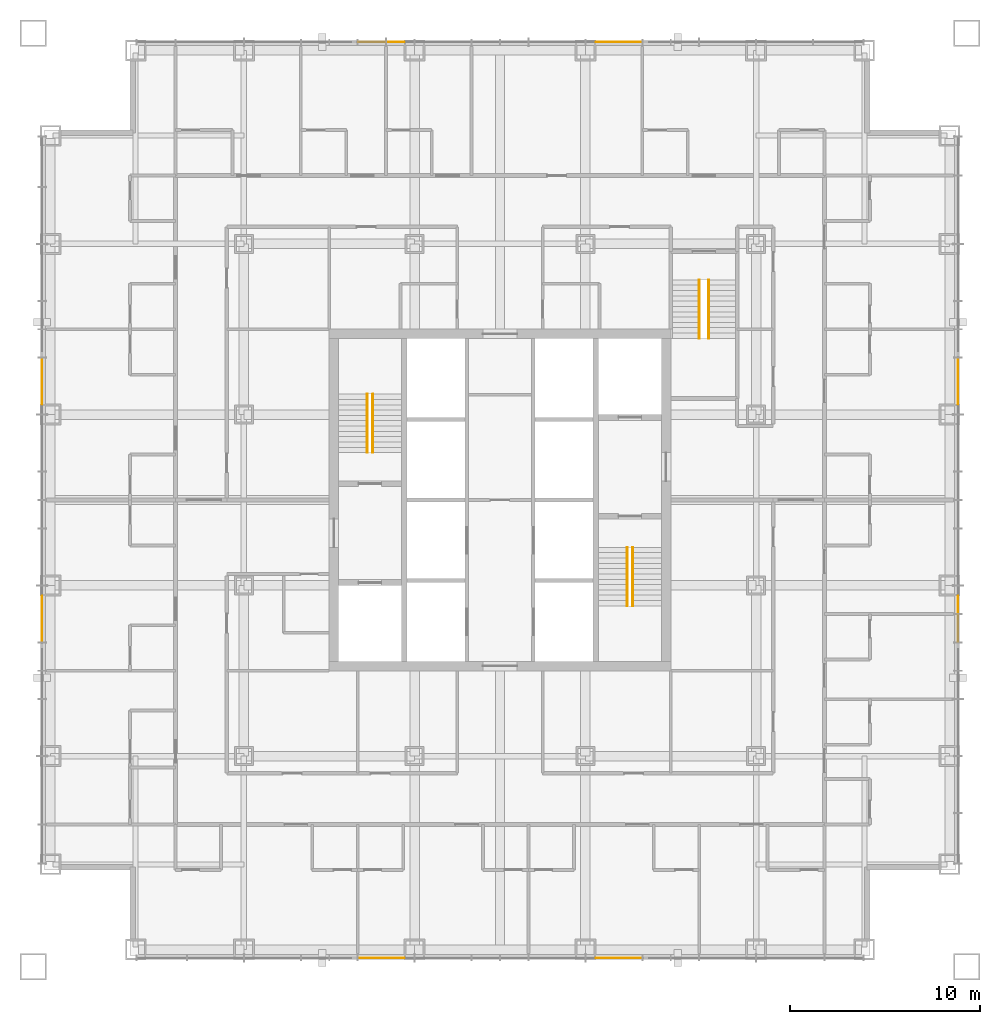
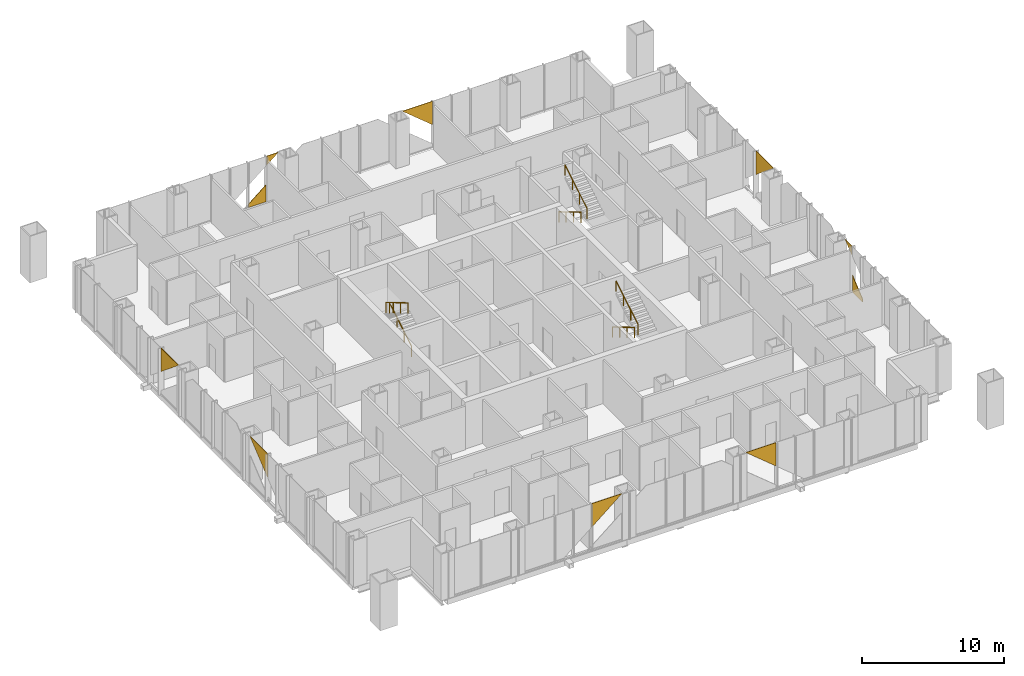
# One storey, part 14 of 18: 10 coverings, 6 railings.
"""IFC4 building model written with IfcOpenShell, lengths in metres."""

from ifc_helpers import new_model, si_unit, direction, frame, origin, origin_2d, place, context, subcontext, project, spatial, polyline, circle, outline, extrude, material, layer, layer_set, type_object, element, save


model = new_model("IFC4")

# Units and contexts
model_context = context("Model", 3, precision=1e-05, world=origin(), true_north=direction((0.0, 1.0)))
body_context = subcontext(model_context, "Body", "Model", "MODEL_VIEW")
ifc_project = project(units=[si_unit("LENGTHUNIT", "METRE"), si_unit("AREAUNIT", "SQUARE_METRE"), si_unit("VOLUMEUNIT", "CUBIC_METRE"), si_unit("PLANEANGLEUNIT", "RADIAN"), si_unit("MASSUNIT", "GRAM", prefix="KILO")], contexts=[model_context])

# Site, building, storey
site_placement = place(None, origin())
site = spatial("IfcSite", under=ifc_project, at=site_placement, CompositionType="ELEMENT")
building_placement = place(site_placement, origin())
building = spatial("IfcBuilding", under=site, at=building_placement, Name="Malebo Sky Hospital", CompositionType="ELEMENT")
storey_placement = place(building_placement, frame((0.0, 0.0, 112.0)))
storey = spatial("IfcBuildingStorey", under=building, at=storey_placement, Name="L26", CompositionType="ELEMENT", Elevation=112.0)

# Coverings
ifc_material_1 = material(Name="Anodised aluminium, natural silver insulated infill panel", Category="aluminium")
ifc_layer = layer(ifc_material_1, 0.0400390625)
ifc_layer_set = layer_set([ifc_layer], Name="BRACE INFILL PANEL 40")
covering_type = type_object("IfcCoveringType", Name="BRACE INFILL PANEL 40", PredefinedType="CLADDING", material=ifc_layer_set)
covering_1_placement = place(storey_placement, frame((53.25, 86.135009765625, 0.10009765625), z_axis=(0.0, 0.0, 1.0), x_axis=(1.0, 0.0, 0.0)))
element("IfcCovering", 1, at=covering_1_placement, inside=storey, type_object=covering_type, Name="Brace infill panel 6.1", PredefinedType="CLADDING", context=body_context, shape_type="SweptSolid", body=[
    extrude(outline(polyline([(-0.71240234375, 0.0), (0.71240234375, 0.0), (0.71240234375, 1.4384765625), (-0.71240234375, 0.263916015625), (-0.71240234375, 0.0)])), frame((0.0, 0.02001953125, 0.0), z_axis=(0.0, -1.0, 0.0), x_axis=(1.0, 0.0, 0.0)), (0.0, 0.0, 1.0), 0.0400390625),
])
covering_2_placement = place(storey_placement, frame((54.503662109375, 86.135009765625, 3.221435546875), z_axis=(0.0, 0.0, 1.0), x_axis=(1.0, 0.0, 0.0)))
element("IfcCovering", 2, at=covering_2_placement, inside=storey, type_object=covering_type, Name="Brace infill panel 7.1", PredefinedType="CLADDING", context=body_context, shape_type="SweptSolid", body=[
    extrude(outline(polyline([(-0.46630859375, 0.0), (0.46630859375, 0.7685546875), (-0.46630859375, 0.7685546875), (-0.46630859375, 0.0)])), frame((0.0, 0.02001953125, 0.0), z_axis=(0.0, -1.0, 0.0), x_axis=(1.0, 0.0, 0.0)), (0.0, 0.0, 1.0), 0.0400390625),
])
covering_3_placement = place(storey_placement, frame((66.24609375, 86.135009765625, 1.985107421875), z_axis=(0.0, 0.0, 1.0), x_axis=(1.0, 0.0, 0.0)))
element("IfcCovering", 3, at=covering_3_placement, inside=storey, type_object=covering_type, Name="Brace infill panel 12.1", PredefinedType="CLADDING", context=body_context, shape_type="SweptSolid", body=[
    extrude(outline(polyline([(1.21630859375, 0.0), (1.21630859375, 2.0048828125), (-1.21630859375, 2.0048828125), (1.21630859375, 0.0)])), frame((0.0, 0.02001953125, 0.0), z_axis=(0.0, -1.0, 0.0), x_axis=(1.0, 0.0, 0.0)), (0.0, 0.0, 1.0), 0.0400390625),
])
covering_4_placement = place(storey_placement, frame((35.864990234375, 55.75390625, 1.985107421875), z_axis=(0.0, 0.0, 1.0), x_axis=(0.0, 1.0, 0.0)))
element("IfcCovering", 4, at=covering_4_placement, inside=storey, type_object=covering_type, Name="Brace infill panel 6.1", PredefinedType="CLADDING", context=body_context, shape_type="SweptSolid", body=[
    extrude(outline(polyline([(-1.21630859375, 0.0), (1.21630859375, 2.0048828125), (-1.21630859375, 2.0048828125), (-1.21630859375, 0.0)])), frame((0.0, 0.02001953125, 0.0), z_axis=(0.0, -1.0, 0.0), x_axis=(1.0, 0.0, 0.0)), (0.0, 0.0, 1.0), 0.0400390625),
])
covering_5_placement = place(storey_placement, frame((35.864990234375, 68.24609375, 1.985107421875), z_axis=(0.0, 0.0, 1.0), x_axis=(0.0, 1.0, 0.0)))
element("IfcCovering", 5, at=covering_5_placement, inside=storey, type_object=covering_type, Name="Brace infill panel 11.1", PredefinedType="CLADDING", context=body_context, shape_type="SweptSolid", body=[
    extrude(outline(polyline([(1.21630859375, 0.0), (1.21630859375, 2.0048828125), (-1.21630859375, 2.0048828125), (1.21630859375, 0.0)])), frame((0.0, 0.02001953125, 0.0), z_axis=(0.0, -1.0, 0.0), x_axis=(1.0, 0.0, 0.0)), (0.0, 0.0, 1.0), 0.0400390625),
])
covering_6_placement = place(storey_placement, frame((66.24609375, 37.864990234375, 1.985107421875), z_axis=(0.0, 0.0, 1.0), x_axis=(-1.0, 0.0, 0.0)))
element("IfcCovering", 6, at=covering_6_placement, inside=storey, type_object=covering_type, Name="Brace infill panel 6.1", PredefinedType="CLADDING", context=body_context, shape_type="SweptSolid", body=[
    extrude(outline(polyline([(-1.21630859375, 0.0), (1.21630859375, 2.0048828125), (-1.21630859375, 2.0048828125), (-1.21630859375, 0.0)])), frame((0.0, 0.02001953125, 0.0), z_axis=(0.0, -1.0, 0.0), x_axis=(1.0, 0.0, 0.0)), (0.0, 0.0, 1.0), 0.0400390625),
])
covering_7_placement = place(storey_placement, frame((53.75390625, 37.864990234375, 1.985107421875), z_axis=(0.0, 0.0, 1.0), x_axis=(-1.0, 0.0, 0.0)))
element("IfcCovering", 7, at=covering_7_placement, inside=storey, type_object=covering_type, Name="Brace infill panel 11.1", PredefinedType="CLADDING", context=body_context, shape_type="SweptSolid", body=[
    extrude(outline(polyline([(1.21630859375, 0.0), (1.21630859375, 2.0048828125), (-1.21630859375, 2.0048828125), (1.21630859375, 0.0)])), frame((0.0, 0.02001953125, 0.0), z_axis=(0.0, -1.0, 0.0), x_axis=(1.0, 0.0, 0.0)), (0.0, 0.0, 1.0), 0.0400390625),
])
covering_8_placement = place(storey_placement, frame((84.135009765625, 68.24609375, 1.985107421875), z_axis=(0.0, 0.0, 1.0), x_axis=(0.0, -1.0, 0.0)))
element("IfcCovering", 8, at=covering_8_placement, inside=storey, type_object=covering_type, Name="Brace infill panel 6.1", PredefinedType="CLADDING", context=body_context, shape_type="SweptSolid", body=[
    extrude(outline(polyline([(-1.21630859375, 0.0), (1.21630859375, 2.0048828125), (-1.21630859375, 2.0048828125), (-1.21630859375, 0.0)])), frame((0.0, 0.02001953125, 0.0), z_axis=(0.0, -1.0, 0.0), x_axis=(1.0, 0.0, 0.0)), (0.0, 0.0, 1.0), 0.0400390625),
])
covering_9_placement = place(storey_placement, frame((84.135009765625, 56.503662109375, 3.221435546875), z_axis=(0.0, 0.0, 1.0), x_axis=(0.0, -1.0, 0.0)))
element("IfcCovering", 9, at=covering_9_placement, inside=storey, type_object=covering_type, Name="Brace infill panel 11.1", PredefinedType="CLADDING", context=body_context, shape_type="SweptSolid", body=[
    extrude(outline(polyline([(0.46630859375, 0.0), (0.46630859375, 0.7685546875), (-0.46630859375, 0.7685546875), (0.46630859375, 0.0)])), frame((0.0, 0.02001953125, 0.0), z_axis=(0.0, -1.0, 0.0), x_axis=(1.0, 0.0, 0.0)), (0.0, 0.0, 1.0), 0.0400390625),
])
covering_10_placement = place(storey_placement, frame((84.135009765625, 55.25, 0.10009765625), z_axis=(0.0, 0.0, 1.0), x_axis=(0.0, -1.0, 0.0)))
element("IfcCovering", 10, at=covering_10_placement, inside=storey, type_object=covering_type, Name="Brace infill panel 12.1", PredefinedType="CLADDING", context=body_context, shape_type="SweptSolid", body=[
    extrude(outline(polyline([(-0.71240234375, 0.0), (0.71240234375, 0.0), (0.71240234375, 0.263916015625), (-0.71240234375, 1.4384765625), (-0.71240234375, 0.0)])), frame((0.0, 0.02001953125, 0.0), z_axis=(0.0, -1.0, 0.0), x_axis=(1.0, 0.0, 0.0)), (0.0, 0.0, 1.0), 0.0400390625),
])

# Railings
ifc_material_2 = material(Name="Stainless steel tube", Category="steel")
railing_type = type_object("IfcRailingType", Name="STAIR HANDRAIL 900", PredefinedType="HANDRAIL", material=ifc_material_2)
railing_1_placement = place(storey_placement, frame((53.300048828125, 64.5, 0.166748046875)))
element("IfcRailing", 11, at=railing_1_placement, inside=storey, type_object=railing_type, Name="Stair handrail S1 flight 1", PredefinedType="HANDRAIL", context=body_context, shape_type="SweptSolid", body=[
    extrude(circle(Radius=0.02392578125, at=origin_2d()), frame((0.0, 0.0, 0.8759765625), z_axis=(0.0, 0.859308565015, 0.511457515432), x_axis=(-1.0, 0.0, 0.0)), (0.0, 0.0, 1.0), 3.58447265625),
    extrude(circle(Radius=0.02099609375, at=origin_2d()), origin(), (0.0, 0.0, 1.0), 0.851806640625),
    extrude(circle(Radius=0.02099609375, at=origin_2d()), frame((0.0, 1.026611328125, 0.611083984375)), (0.0, 0.0, 1.0), 0.851806640625),
    extrude(circle(Radius=0.02099609375, at=origin_2d()), frame((0.0, 2.053466796875, 1.22216796875)), (0.0, 0.0, 1.0), 0.851806640625),
    extrude(circle(Radius=0.02099609375, at=origin_2d()), frame((0.0, 3.080078125, 1.833251953125)), (0.0, 0.0, 1.0), 0.851806640625),
])
for number, where, name in (
    (12, (53.0, 67.580078125, 2.166748046875), "Stair handrail S1 flight 2"),
    (13, (66.699951171875, 59.5, 0.166748046875), "Stair handrail S2 flight 1"),
):
    element("IfcRailing", number, at=place(storey_placement, frame(where)), inside=storey, type_object=railing_type, Name=name, PredefinedType="HANDRAIL", context=body_context, shape_type="SweptSolid", body=[
        extrude(circle(Radius=0.02392578125, at=origin_2d()), frame((0.0, 0.0, 0.8759765625), z_axis=(0.0, -0.859308565015, 0.511457515432), x_axis=(1.0, 0.0, 0.0)), (0.0, 0.0, 1.0), 3.58447265625),
        extrude(circle(Radius=0.02099609375, at=origin_2d()), origin(), (0.0, 0.0, 1.0), 0.851806640625),
        extrude(circle(Radius=0.02099609375, at=origin_2d()), frame((0.0, -1.026611328125, 0.611083984375)), (0.0, 0.0, 1.0), 0.851806640625),
        extrude(circle(Radius=0.02099609375, at=origin_2d()), frame((0.0, -2.053466796875, 1.22216796875)), (0.0, 0.0, 1.0), 0.851806640625),
        extrude(circle(Radius=0.02099609375, at=origin_2d()), frame((0.0, -3.080078125, 1.833251953125)), (0.0, 0.0, 1.0), 0.851806640625),
    ])
railing_2_placement = place(storey_placement, frame((67.0, 56.419921875, 2.166748046875)))
element("IfcRailing", 14, at=railing_2_placement, inside=storey, type_object=railing_type, Name="Stair handrail S2 flight 2", PredefinedType="HANDRAIL", context=body_context, shape_type="SweptSolid", body=[
    extrude(circle(Radius=0.02392578125, at=origin_2d()), frame((0.0, 0.0, 0.8759765625), z_axis=(0.0, 0.859308565015, 0.511457515432), x_axis=(-1.0, 0.0, 0.0)), (0.0, 0.0, 1.0), 3.58447265625),
    extrude(circle(Radius=0.02099609375, at=origin_2d()), origin(), (0.0, 0.0, 1.0), 0.851806640625),
    extrude(circle(Radius=0.02099609375, at=origin_2d()), frame((0.0, 1.026611328125, 0.611083984375)), (0.0, 0.0, 1.0), 0.851806640625),
    extrude(circle(Radius=0.02099609375, at=origin_2d()), frame((0.0, 2.053466796875, 1.22216796875)), (0.0, 0.0, 1.0), 0.851806640625),
    extrude(circle(Radius=0.02099609375, at=origin_2d()), frame((0.0, 3.080078125, 1.833251953125)), (0.0, 0.0, 1.0), 0.851806640625),
])
railing_3_placement = place(storey_placement, frame((70.5, 73.60009765625, 0.166748046875)))
element("IfcRailing", 15, at=railing_3_placement, inside=storey, type_object=railing_type, Name="Stair handrail S3 flight 1", PredefinedType="HANDRAIL", context=body_context, shape_type="SweptSolid", body=[
    extrude(circle(Radius=0.02392578125, at=origin_2d()), frame((0.0, 0.0, 0.8759765625), z_axis=(0.0, -0.859308565015, 0.511457515432), x_axis=(1.0, 0.0, 0.0)), (0.0, 0.0, 1.0), 3.58447265625),
    extrude(circle(Radius=0.02099609375, at=origin_2d()), origin(), (0.0, 0.0, 1.0), 0.851806640625),
    extrude(circle(Radius=0.02099609375, at=origin_2d()), frame((0.0, -1.026611328125, 0.611083984375)), (0.0, 0.0, 1.0), 0.851806640625),
    extrude(circle(Radius=0.02099609375, at=origin_2d()), frame((0.0, -2.053466796875, 1.22216796875)), (0.0, 0.0, 1.0), 0.851806640625),
    extrude(circle(Radius=0.02099609375, at=origin_2d()), frame((0.0, -3.080078125, 1.833251953125)), (0.0, 0.0, 1.0), 0.851806640625),
])
railing_4_placement = place(storey_placement, frame((71.0, 70.52001953125, 2.166748046875)))
element("IfcRailing", 16, at=railing_4_placement, inside=storey, type_object=railing_type, Name="Stair handrail S3 flight 2", PredefinedType="HANDRAIL", context=body_context, shape_type="SweptSolid", body=[
    extrude(circle(Radius=0.02392578125, at=origin_2d()), frame((0.0, 0.0, 0.8759765625), z_axis=(0.0, 0.859308565015, 0.511457515432), x_axis=(-1.0, 0.0, 0.0)), (0.0, 0.0, 1.0), 3.58447265625),
    extrude(circle(Radius=0.02099609375, at=origin_2d()), origin(), (0.0, 0.0, 1.0), 0.851806640625),
    extrude(circle(Radius=0.02099609375, at=origin_2d()), frame((0.0, 1.026611328125, 0.611083984375)), (0.0, 0.0, 1.0), 0.851806640625),
    extrude(circle(Radius=0.02099609375, at=origin_2d()), frame((0.0, 2.053466796875, 1.22216796875)), (0.0, 0.0, 1.0), 0.851806640625),
    extrude(circle(Radius=0.02099609375, at=origin_2d()), frame((0.0, 3.080078125, 1.833251953125)), (0.0, 0.0, 1.0), 0.851806640625),
])

save(model, "model.ifc")
